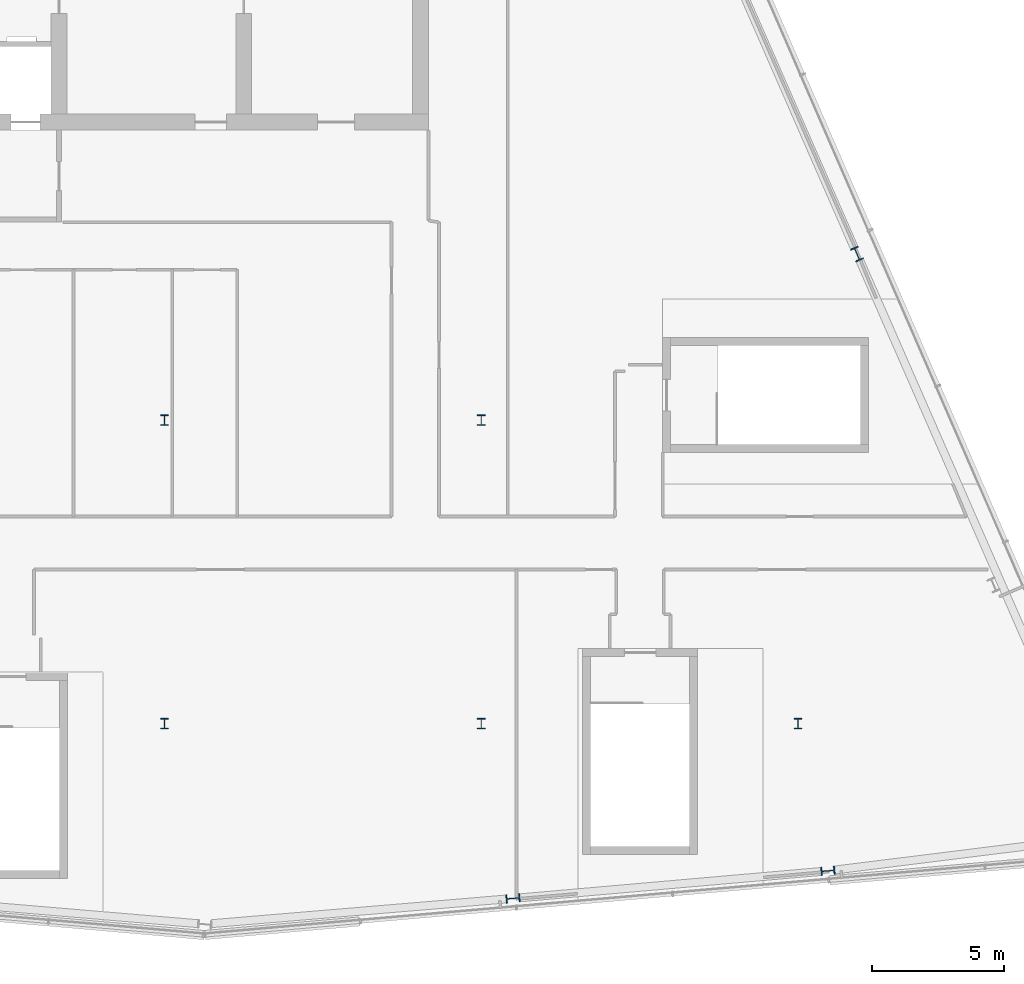
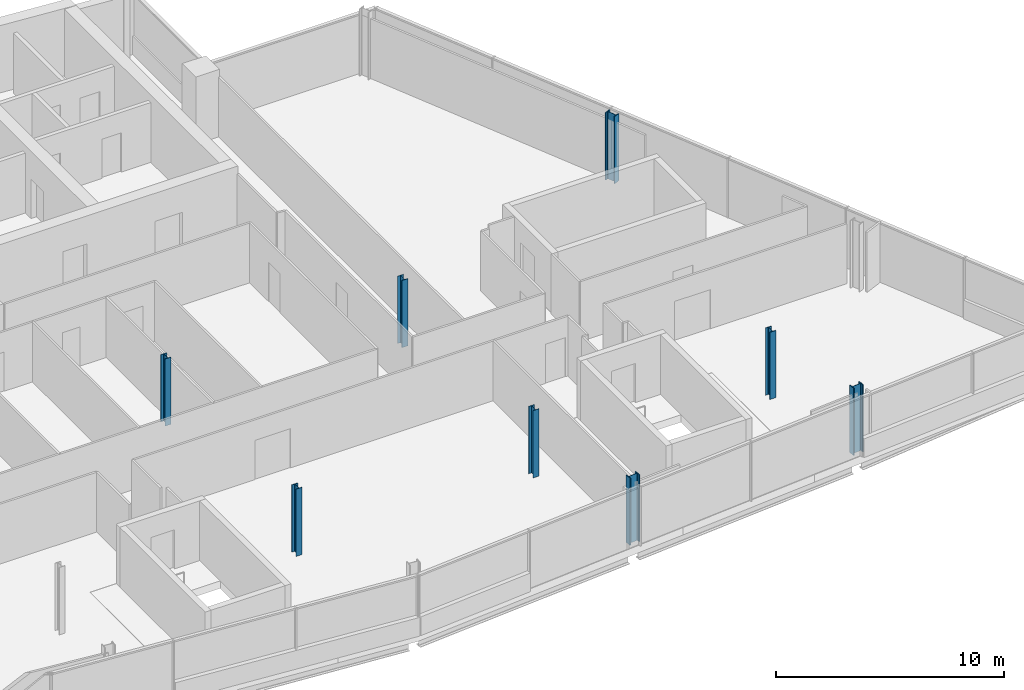
# One storey, part 2 of 19: 8 columns.
"""IFC4 building model written with IfcOpenShell, lengths in metres."""

from ifc_helpers import new_model, si_unit, direction, frame, origin, origin_2d, place, context, subcontext, project, spatial, i_section, extrude, material, material_profile, profile_set, type_object, element, save


model = new_model("IFC4")

# Units and contexts
model_context = context("Model", 3, precision=1e-05, world=origin(), true_north=direction((0.0, 1.0)))
body_context = subcontext(model_context, "Body", "Model", "MODEL_VIEW")
ifc_project = project(units=[si_unit("LENGTHUNIT", "METRE"), si_unit("AREAUNIT", "SQUARE_METRE"), si_unit("VOLUMEUNIT", "CUBIC_METRE"), si_unit("PLANEANGLEUNIT", "RADIAN"), si_unit("MASSUNIT", "GRAM", prefix="KILO")], contexts=[model_context])

# Site, building, storey
site_placement = place(None, origin())
site = spatial("IfcSite", under=ifc_project, at=site_placement, CompositionType="ELEMENT")
building_placement = place(site_placement, origin())
building = spatial("IfcBuilding", under=site, at=building_placement, Name="Wharfspan Tower", CompositionType="ELEMENT")
storey_placement = place(building_placement, frame((0.0, 0.0, 257.5)))
storey = spatial("IfcBuildingStorey", under=building, at=storey_placement, Name="L65", CompositionType="ELEMENT", Elevation=257.5)

# Columns
ifc_material = material(Name="Steel S355J2", Category="steel")
ifc_material_profile_1 = material_profile(ifc_material, i_section(OverallWidth=0.300049, OverallDepth=0.399902, WebThickness=0.013428, FlangeThickness=0.023926, FilletRadius=0.0271, at=origin_2d()))
ifc_profile_set_1 = profile_set([ifc_material_profile_1], Name="Steel S355J2")
column_type_1 = type_object("IfcColumnType", Name="Column HEB 400", PredefinedType="COLUMN", material=ifc_profile_set_1)
for number, where, z_axis, x_axis, name in (
    (1, (48.0, 11.5, 0.0), (0.0, 0.0, 1.0), (1.0, 0.0, 0.0), "Interior column I.1.3 L65"),
    (2, (60.0, 11.5, 0.0), (0.0, 0.0, 1.0), (1.0, 0.0, 0.0), "Interior column I.1.4 L65"),
    (3, (72.0, 11.5, 0.0), (0.0, 0.0, 1.0), (1.0, 0.0, 0.0), "Interior column I.1.5 L65"),
    (4, (48.0, 23.0, 0.0), (0.0, 0.0, 1.0), (1.0, 0.0, 0.0), "Interior column I.2.3 L65"),
    (5, (60.0, 23.0, 0.0), (0.0, 0.0, 1.0), (1.0, 0.0, 0.0), "Interior column I.2.4 L65"),
):
    element("IfcColumn", number, at=place(storey_placement, frame(where, z_axis=z_axis, x_axis=x_axis)), inside=storey, type_object=column_type_1, Name=name, PredefinedType="COLUMN", context=body_context, shape_type="SweptSolid", body=[
        extrude(i_section(OverallWidth=0.300049, OverallDepth=0.399902, WebThickness=0.013428, FlangeThickness=0.023926, FilletRadius=0.0271, at=origin_2d()), origin(), (0.0, 0.0, 1.0), 3.600098),
    ])
ifc_material_profile_2 = material_profile(ifc_material, i_section(OverallWidth=0.305908, OverallDepth=0.523926, WebThickness=0.020996, FlangeThickness=0.040039, FilletRadius=0.0271, at=origin_2d()))
ifc_profile_set_2 = profile_set([ifc_material_profile_2], Name="Steel S355J2")
column_type_2 = type_object("IfcColumnType", Name="Column HEM 500", PredefinedType="COLUMN", material=ifc_profile_set_2)
for number, where, z_axis, x_axis, name in (
    (6, (61.202393, 4.879395, 0.0), (0.0, 0.0, 1.0), (0.087156, -0.996197, 0.0), "Perimeter column PS2.1 L65"),
    (7, (73.135254, 5.92334, 0.0), (0.0, 0.0, 1.0), (0.087156, -0.996197, 0.0), "Perimeter column PS2.2 L65"),
    (8, (74.235352, 29.294922, 0.0), (0.0, 0.0, 1.0), (0.917072, 0.398727, 0.0), "Perimeter column PE.2 L65"),
):
    element("IfcColumn", number, at=place(storey_placement, frame(where, z_axis=z_axis, x_axis=x_axis)), inside=storey, type_object=column_type_2, Name=name, PredefinedType="COLUMN", context=body_context, shape_type="SweptSolid", body=[
        extrude(i_section(OverallWidth=0.305908, OverallDepth=0.523926, WebThickness=0.020996, FlangeThickness=0.040039, FilletRadius=0.0271, at=origin_2d()), origin(), (0.0, 0.0, 1.0), 3.600098),
    ])

save(model, "model.ifc")
